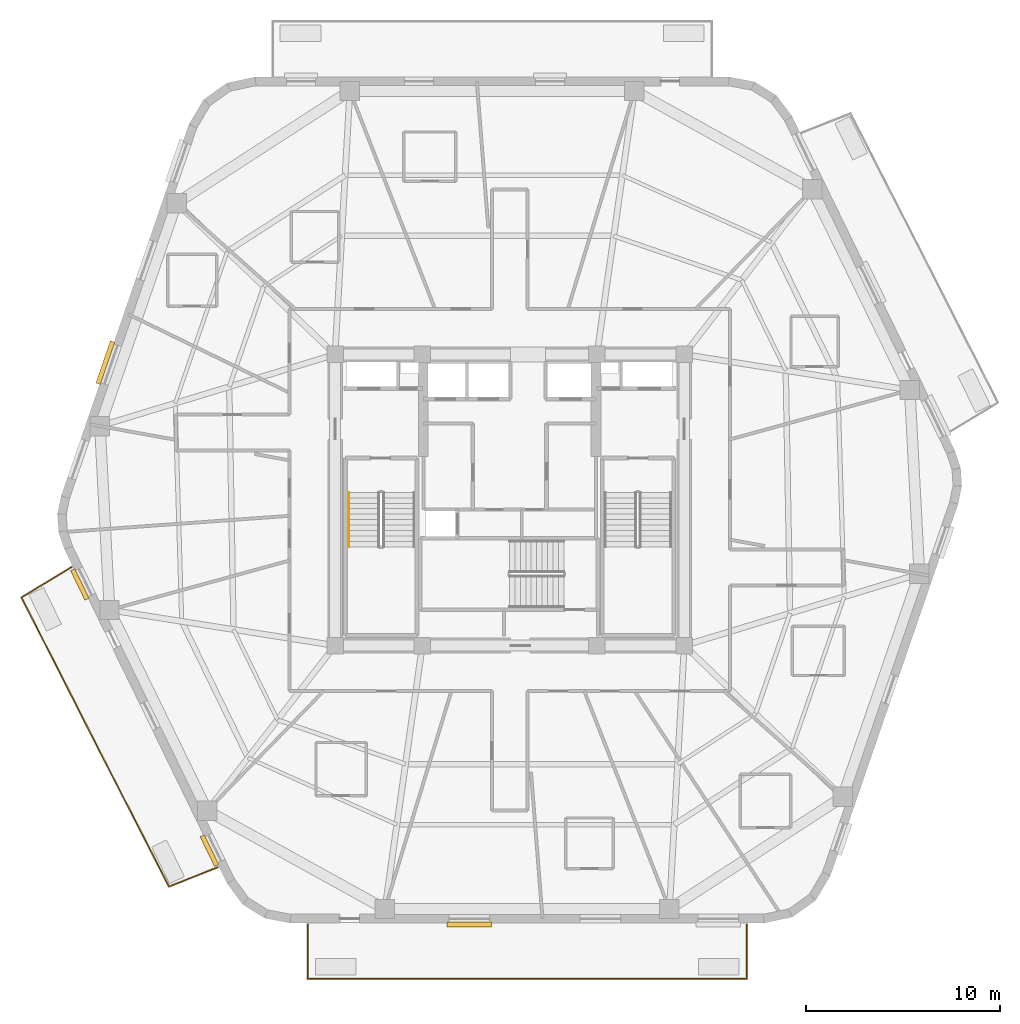
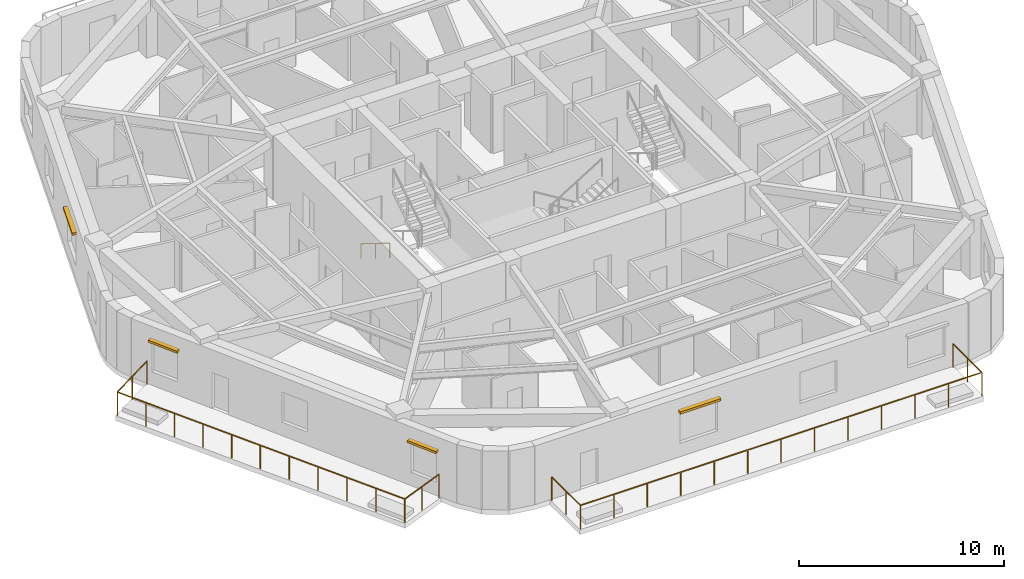
# One storey, part 8 of 10: 4 shading devices, 3 railings.
"""IFC4 building model written with IfcOpenShell, lengths in metres."""

from ifc_helpers import new_model, si_unit, direction, frame, origin, origin_2d, place, context, subcontext, project, spatial, rectangle, extrude, material, layer, layer_set, type_object, element, save


model = new_model("IFC4")

# Units and contexts
model_context = context("Model", 3, precision=1e-05, world=origin(), true_north=direction((0.0, 1.0)))
body_context = subcontext(model_context, "Body", "Model", "MODEL_VIEW")
ifc_project = project(units=[si_unit("LENGTHUNIT", "METRE"), si_unit("AREAUNIT", "SQUARE_METRE"), si_unit("VOLUMEUNIT", "CUBIC_METRE"), si_unit("PLANEANGLEUNIT", "RADIAN"), si_unit("MASSUNIT", "GRAM", prefix="KILO")], contexts=[model_context])

# Site, building, storey
site_placement = place(None, origin())
site = spatial("IfcSite", under=ifc_project, at=site_placement, CompositionType="ELEMENT")
building_placement = place(site_placement, origin())
building = spatial("IfcBuilding", under=site, at=building_placement, Name="Kilnhurst Terrace Hotel", CompositionType="ELEMENT")
storey_placement = place(building_placement, frame((0.0, 0.0, 214.10009765625)))
storey = spatial("IfcBuildingStorey", under=building, at=storey_placement, Name="L53", CompositionType="ELEMENT", Elevation=214.10009765625)

# Railings
ifc_material_1 = material(Name="Laminated SentryGlas and Stainless Steel AISI 316L Balustrade", Category="steel")
ifc_layer_1 = layer(ifc_material_1, 0.070068359375, Name="Laminated SentryGlas and Stainless Steel AISI 316L Balustrade")
ifc_layer_set_1 = layer_set([ifc_layer_1], Name="Laminated SentryGlas and Stainless Steel AISI 316L Balustrade")
railing_type_1 = type_object("IfcRailingType", Name="RLG-BAL-1420", PredefinedType="BALUSTRADE", material=ifc_layer_set_1)
railing_1_placement = place(storey_placement, frame((-15.0546875, -18.933349609375, 0.0)))
element("IfcRailing", 1, at=railing_1_placement, inside=storey, type_object=railing_type_1, Name="L53 Exterior Terrace Guardrail BAL-L2A.1", PredefinedType="BALUSTRADE", context=body_context, shape_type="SweptSolid", body=[
    extrude(rectangle(XDim=0.048095703125, YDim=0.048095703125, at=origin_2d()), frame((0.0, 0.0, 1.39599609375), z_axis=(-0.929913162101, -0.367779160574, 0.0), x_axis=(0.367779160574, -0.929913162101, 0.0)), (0.0, 0.0, 1.0), 2.694580078125),
    extrude(rectangle(XDim=0.048095703125, YDim=0.048095703125, at=origin_2d()), frame((-2.505615234375, -0.990966796875, 1.39599609375), z_axis=(-0.455129479154, 0.890425267614, 0.0), x_axis=(-0.890425267614, -0.455129479154, 0.0)), (0.0, 0.0, 1.0), 8.4072265625),
    extrude(rectangle(XDim=0.048095703125, YDim=0.048095703125, at=origin_2d()), frame((-6.33203125, 6.4951171875, 1.39599609375), z_axis=(-0.45338853952, 0.891312982196, 0.0), x_axis=(-0.891312982196, -0.45338853952, 0.0)), (0.0, 0.0, 1.0), 8.320068359375),
    extrude(rectangle(XDim=0.048095703125, YDim=0.048095703125, at=origin_2d()), frame((-10.104248046875, 13.910888671875, 1.39599609375), z_axis=(0.854990626614, 0.518643450168, 0.0), x_axis=(-0.518643450168, 0.854990626614, 0.0)), (0.0, 0.0, 1.0), 3.008056640625),
    extrude(rectangle(XDim=0.0419921875, YDim=0.0419921875, at=origin_2d()), origin(), (0.0, 0.0, 1.0), 1.371826171875),
    extrude(rectangle(XDim=0.0419921875, YDim=0.0419921875, at=origin_2d()), frame((-1.2529296875, -0.49560546875, 0.0)), (0.0, 0.0, 1.0), 1.371826171875),
    extrude(rectangle(XDim=0.0419921875, YDim=0.0419921875, at=origin_2d()), frame((-2.505615234375, -0.990966796875, 0.0)), (0.0, 0.0, 1.0), 1.371826171875),
    extrude(rectangle(XDim=0.0419921875, YDim=0.0419921875, at=origin_2d()), frame((-3.27099609375, 0.50634765625, 0.0)), (0.0, 0.0, 1.0), 1.371826171875),
    extrude(rectangle(XDim=0.0419921875, YDim=0.0419921875, at=origin_2d()), frame((-4.0361328125, 2.00341796875, 0.0)), (0.0, 0.0, 1.0), 1.371826171875),
    extrude(rectangle(XDim=0.0419921875, YDim=0.0419921875, at=origin_2d()), frame((-4.801513671875, 3.500732421875, 0.0)), (0.0, 0.0, 1.0), 1.371826171875),
    extrude(rectangle(XDim=0.0419921875, YDim=0.0419921875, at=origin_2d()), frame((-5.566650390625, 4.997802734375, 0.0)), (0.0, 0.0, 1.0), 1.371826171875),
    extrude(rectangle(XDim=0.0419921875, YDim=0.0419921875, at=origin_2d()), frame((-6.33203125, 6.4951171875, 0.0)), (0.0, 0.0, 1.0), 1.371826171875),
    extrude(rectangle(XDim=0.0419921875, YDim=0.0419921875, at=origin_2d()), frame((-7.08642578125, 7.978271484375, 0.0)), (0.0, 0.0, 1.0), 1.371826171875),
    extrude(rectangle(XDim=0.0419921875, YDim=0.0419921875, at=origin_2d()), frame((-7.8408203125, 9.46142578125, 0.0)), (0.0, 0.0, 1.0), 1.371826171875),
    extrude(rectangle(XDim=0.0419921875, YDim=0.0419921875, at=origin_2d()), frame((-8.595458984375, 10.944580078125, 0.0)), (0.0, 0.0, 1.0), 1.371826171875),
    extrude(rectangle(XDim=0.0419921875, YDim=0.0419921875, at=origin_2d()), frame((-9.349853515625, 12.427734375, 0.0)), (0.0, 0.0, 1.0), 1.371826171875),
    extrude(rectangle(XDim=0.0419921875, YDim=0.0419921875, at=origin_2d()), frame((-10.104248046875, 13.910888671875, 0.0)), (0.0, 0.0, 1.0), 1.371826171875),
    extrude(rectangle(XDim=0.0419921875, YDim=0.0419921875, at=origin_2d()), frame((-8.818359375, 14.69091796875, 0.0)), (0.0, 0.0, 1.0), 1.371826171875),
    extrude(rectangle(XDim=0.0419921875, YDim=0.0419921875, at=origin_2d()), frame((-7.532470703125, 15.470947265625, 0.0)), (0.0, 0.0, 1.0), 1.371826171875),
])
railing_2_placement = place(storey_placement, frame((12.21484375, -21.8798828125, 0.0)))
element("IfcRailing", 2, at=railing_2_placement, inside=storey, type_object=railing_type_1, Name="L53 Exterior Terrace Guardrail BAL-L2B.1", PredefinedType="BALUSTRADE", context=body_context, shape_type="SweptSolid", body=[
    extrude(rectangle(XDim=0.048095703125, YDim=0.048095703125, at=origin_2d()), frame((0.0, 0.0, 1.39599609375), z_axis=(0.0, -1.0, 0.0), x_axis=(1.0, 0.0, 0.0)), (0.0, 0.0, 1.0), 2.800048828125),
    extrude(rectangle(XDim=0.048095703125, YDim=0.048095703125, at=origin_2d()), frame((0.0, -2.800048828125, 1.39599609375), z_axis=(-1.0, 0.0, 0.0), x_axis=(0.0, -1.0, 0.0)), (0.0, 0.0, 1.0), 22.62353515625),
    extrude(rectangle(XDim=0.048095703125, YDim=0.048095703125, at=origin_2d()), frame((-22.62353515625, -2.800048828125, 1.39599609375), z_axis=(0.0, 1.0, 0.0), x_axis=(-1.0, 0.0, 0.0)), (0.0, 0.0, 1.0), 2.800048828125),
    extrude(rectangle(XDim=0.0419921875, YDim=0.0419921875, at=origin_2d()), origin(), (0.0, 0.0, 1.0), 1.371826171875),
    extrude(rectangle(XDim=0.0419921875, YDim=0.0419921875, at=origin_2d()), frame((0.0, -1.39990234375, 0.0)), (0.0, 0.0, 1.0), 1.371826171875),
    extrude(rectangle(XDim=0.0419921875, YDim=0.0419921875, at=origin_2d()), frame((0.0, -2.800048828125, 0.0)), (0.0, 0.0, 1.0), 1.371826171875),
    extrude(rectangle(XDim=0.0419921875, YDim=0.0419921875, at=origin_2d()), frame((-1.88525390625, -2.800048828125, 0.0)), (0.0, 0.0, 1.0), 1.371826171875),
    extrude(rectangle(XDim=0.0419921875, YDim=0.0419921875, at=origin_2d()), frame((-3.7705078125, -2.800048828125, 0.0)), (0.0, 0.0, 1.0), 1.371826171875),
    extrude(rectangle(XDim=0.0419921875, YDim=0.0419921875, at=origin_2d()), frame((-5.65576171875, -2.800048828125, 0.0)), (0.0, 0.0, 1.0), 1.371826171875),
    extrude(rectangle(XDim=0.0419921875, YDim=0.0419921875, at=origin_2d()), frame((-7.541259765625, -2.800048828125, 0.0)), (0.0, 0.0, 1.0), 1.371826171875),
    extrude(rectangle(XDim=0.0419921875, YDim=0.0419921875, at=origin_2d()), frame((-9.426513671875, -2.800048828125, 0.0)), (0.0, 0.0, 1.0), 1.371826171875),
    extrude(rectangle(XDim=0.0419921875, YDim=0.0419921875, at=origin_2d()), frame((-11.311767578125, -2.800048828125, 0.0)), (0.0, 0.0, 1.0), 1.371826171875),
    extrude(rectangle(XDim=0.0419921875, YDim=0.0419921875, at=origin_2d()), frame((-13.197021484375, -2.800048828125, 0.0)), (0.0, 0.0, 1.0), 1.371826171875),
    extrude(rectangle(XDim=0.0419921875, YDim=0.0419921875, at=origin_2d()), frame((-15.082275390625, -2.800048828125, 0.0)), (0.0, 0.0, 1.0), 1.371826171875),
    extrude(rectangle(XDim=0.0419921875, YDim=0.0419921875, at=origin_2d()), frame((-16.9677734375, -2.800048828125, 0.0)), (0.0, 0.0, 1.0), 1.371826171875),
    extrude(rectangle(XDim=0.0419921875, YDim=0.0419921875, at=origin_2d()), frame((-18.85302734375, -2.800048828125, 0.0)), (0.0, 0.0, 1.0), 1.371826171875),
    extrude(rectangle(XDim=0.0419921875, YDim=0.0419921875, at=origin_2d()), frame((-20.73828125, -2.800048828125, 0.0)), (0.0, 0.0, 1.0), 1.371826171875),
    extrude(rectangle(XDim=0.0419921875, YDim=0.0419921875, at=origin_2d()), frame((-22.62353515625, -2.800048828125, 0.0)), (0.0, 0.0, 1.0), 1.371826171875),
    extrude(rectangle(XDim=0.0419921875, YDim=0.0419921875, at=origin_2d()), frame((-22.62353515625, -1.39990234375, 0.0)), (0.0, 0.0, 1.0), 1.371826171875),
    extrude(rectangle(XDim=0.0419921875, YDim=0.0419921875, at=origin_2d()), frame((-22.62353515625, 0.0, 0.0)), (0.0, 0.0, 1.0), 1.371826171875),
])
ifc_material_2 = material(Name="Brushed Stainless Steel AISI 304", Category="steel")
ifc_layer_2 = layer(ifc_material_2, 0.048095703125, Name="Brushed Stainless Steel AISI 304")
ifc_layer_set_2 = layer_set([ifc_layer_2], Name="Brushed Stainless Steel AISI 304")
railing_type_2 = type_object("IfcRailingType", Name="RLG-ST-HRL-900", PredefinedType="HANDRAIL", material=ifc_layer_set_2)
railing_3_placement = place(storey_placement, frame((-8.300048828125, 0.389892578125, 0.172607421875)))
element("IfcRailing", 3, at=railing_3_placement, inside=storey, type_object=railing_type_2, Name="L53 ST-1 stair handrail 1", PredefinedType="HANDRAIL", context=body_context, shape_type="SweptSolid", body=[
    extrude(rectangle(XDim=0.048095703125, YDim=0.048095703125, at=origin_2d()), frame((0.0, 0.0, 0.8759765625), z_axis=(0.0, -0.851069175582, 0.525053576669), x_axis=(1.0, 0.0, 0.0)), (0.0, 0.0, 1.0), 3.289794921875),
    extrude(rectangle(XDim=0.0419921875, YDim=0.0419921875, at=origin_2d()), origin(), (0.0, 0.0, 1.0), 0.851806640625),
    extrude(rectangle(XDim=0.0419921875, YDim=0.0419921875, at=origin_2d()), frame((0.0, -1.39990234375, 0.86376953125)), (0.0, 0.0, 1.0), 0.851806640625),
    extrude(rectangle(XDim=0.0419921875, YDim=0.0419921875, at=origin_2d()), frame((0.0, -2.7998046875, 1.727294921875)), (0.0, 0.0, 1.0), 0.851806640625),
])

# Shading devices
ifc_material_3 = material(Name="Terracotta Baguette Sunshade on Aluminium Alloy 6063-T6", Category="masonry")
ifc_layer_3 = layer(ifc_material_3, 0.199951171875, Name="Terracotta Baguette Sunshade on Aluminium Alloy 6063-T6")
ifc_layer_set_3 = layer_set([ifc_layer_3], Name="Terracotta Baguette Sunshade on Aluminium Alloy 6063-T6")
shading_device_type = type_object("IfcShadingDeviceType", Name="SHD-SUN-200", PredefinedType="JALOUSIE", material=ifc_layer_set_3)
for number, where, z_axis, x_axis, name in (
    (4, (-2.07861328125, -21.8798828125, 2.68017578125), (0.0, 0.0, 1.0), (1.0, 0.0, 0.0), "L53 Terracotta Window Sunshade F1.1"),
    (5, (-20.83837890625, 7.080322265625, 2.68017578125), (0.0, 0.0, 1.0), (-0.325089542819, -0.94568323933, 0.0), "L53 Terracotta Window Sunshade F5.3"),
):
    element("IfcShadingDevice", number, at=place(storey_placement, frame(where, z_axis=z_axis, x_axis=x_axis)), inside=storey, type_object=shading_device_type, Name=name, PredefinedType="JALOUSIE", context=body_context, shape_type="SweptSolid", body=[
        extrude(rectangle(XDim=2.300048828125, YDim=0.239990234375, at=origin_2d()), origin(), (0.0, 0.0, 1.0), 0.139892578125),
    ])
for number, where, z_axis, x_axis, name in (
    (6, (-22.1533203125, -4.353271484375, 2.6298828125), (0.0, 0.0, 1.0), (0.437743563395, -0.899099868038, 0.0), "L53 Terracotta Window Sunshade F6.1"),
    (7, (-15.474609375, -18.07080078125, 2.6298828125), (0.0, 0.0, 1.0), (0.437743563395, -0.899099868038, 0.0), "L53 Terracotta Window Sunshade F6.3"),
):
    element("IfcShadingDevice", number, at=place(storey_placement, frame(where, z_axis=z_axis, x_axis=x_axis)), inside=storey, type_object=shading_device_type, Name=name, PredefinedType="JALOUSIE", context=body_context, shape_type="SweptSolid", body=[
        extrude(rectangle(XDim=1.699951171875, YDim=0.239990234375, at=origin_2d()), origin(), (0.0, 0.0, 1.0), 0.139892578125),
    ])

save(model, "model.ifc")
